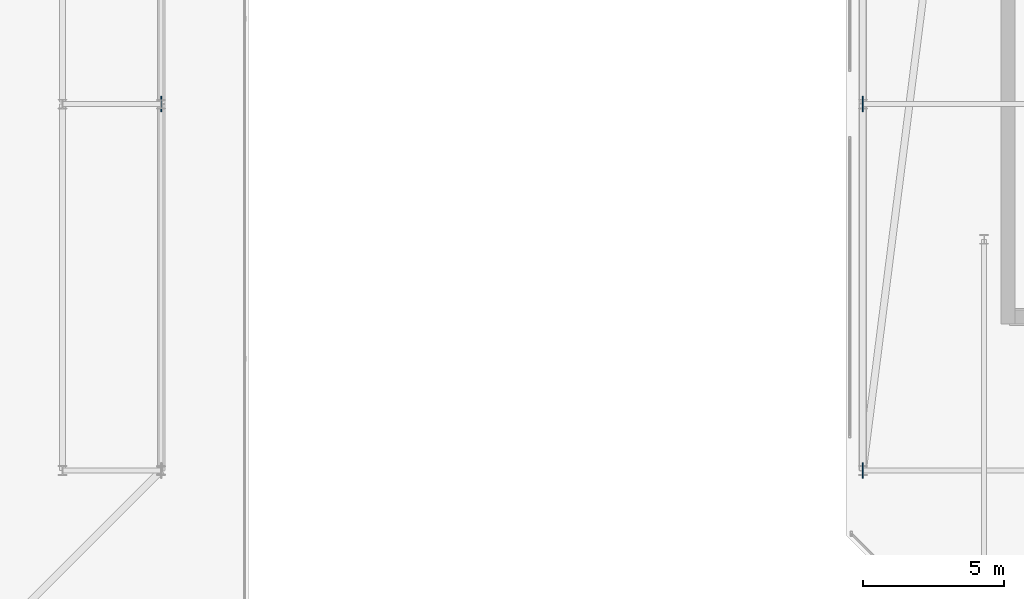
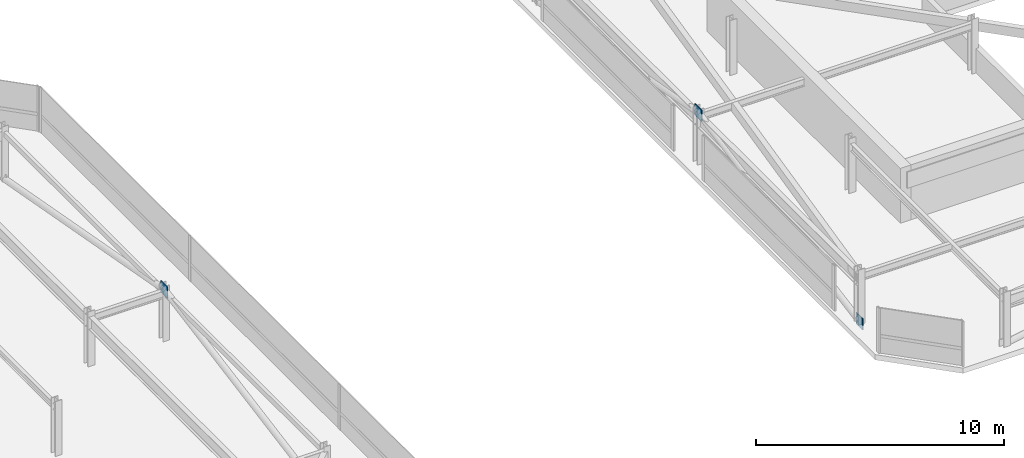
# One storey, part 39 of 42: 3 plates.
"""IFC4 building model written with IfcOpenShell, lengths in metres."""

from ifc_helpers import new_model, si_unit, direction, frame, origin, origin_2d, place, context, subcontext, project, spatial, rectangle, extrude, material, layer, layer_set, type_object, element, save


model = new_model("IFC4")

# Units and contexts
model_context = context("Model", 3, precision=1e-05, world=origin(), true_north=direction((0.0, 1.0)))
body_context = subcontext(model_context, "Body", "Model", "MODEL_VIEW")
ifc_project = project(units=[si_unit("LENGTHUNIT", "METRE"), si_unit("AREAUNIT", "SQUARE_METRE"), si_unit("VOLUMEUNIT", "CUBIC_METRE"), si_unit("PLANEANGLEUNIT", "RADIAN"), si_unit("MASSUNIT", "GRAM", prefix="KILO")], contexts=[model_context])

# Site, building, storey
site_placement = place(None, origin())
site = spatial("IfcSite", under=ifc_project, at=site_placement, CompositionType="ELEMENT")
building_placement = place(site_placement, origin())
building = spatial("IfcBuilding", under=site, at=building_placement, Name="Thornwick Lancets Civic Towers", CompositionType="ELEMENT")
storey_placement = place(building_placement, frame((0.0, 0.0, 286.800048828125)))
storey = spatial("IfcBuildingStorey", under=building, at=storey_placement, Name="C03", CompositionType="ELEMENT", Elevation=286.800048828125)

# Plates
ifc_material = material(Name="Steel S460M", Category="steel")
ifc_layer = layer(ifc_material, 0.0400390625, Name="Steel S460M")
ifc_layer_set = layer_set([ifc_layer], Name="Steel S460M")
plate_type = type_object("IfcPlateType", Name="PLT_GUSSET_40", PredefinedType="USERDEFINED", material=ifc_layer_set)
for number, where, z_axis, x_axis, name in (
    (1, (46.300048828125, 27.0, 2.1650390625), (0.0, 0.0, 1.0), (0.0, 1.0, 0.0), "C03 Brace Connection Gusset Plate 0489"),
    (2, (71.199951171875, 14.0, -0.22509765625), (0.0, 0.0, 1.0), (0.0, 1.0, 0.0), "C03 Brace Connection Gusset Plate 0503"),
    (3, (71.199951171875, 27.0, 2.1650390625), (0.0, 0.0, 1.0), (0.0, 1.0, 0.0), "C03 Brace Connection Gusset Plate 0504"),
):
    element("IfcPlate", number, at=place(storey_placement, frame(where, z_axis=z_axis, x_axis=x_axis)), inside=storey, type_object=plate_type, Name=name, ObjectType="GUSSET_PLATE", PredefinedType="USERDEFINED", context=body_context, shape_type="SweptSolid", body=[
        extrude(rectangle(XDim=0.550048828125, YDim=0.0400390625, at=origin_2d()), origin(), (0.0, 0.0, 1.0), 0.550048828125),
    ])

save(model, "model.ifc")
